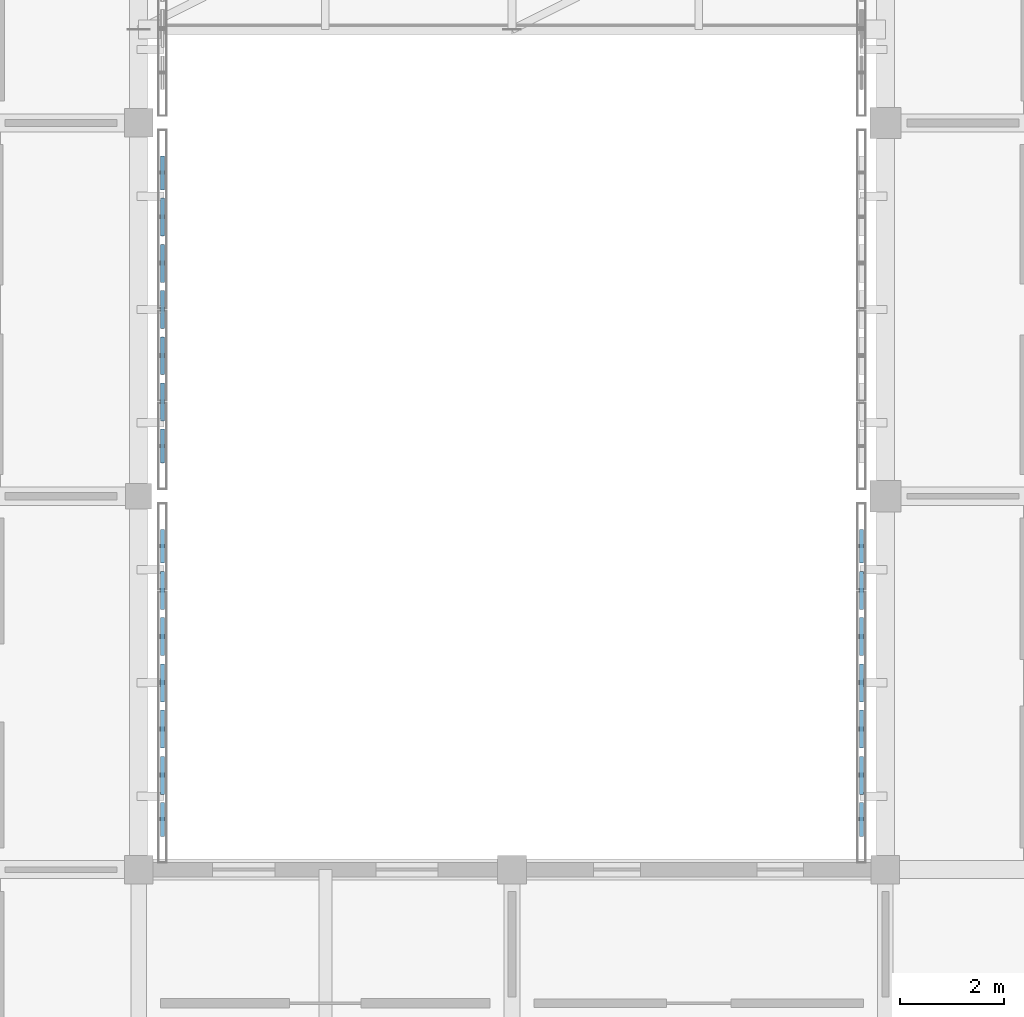
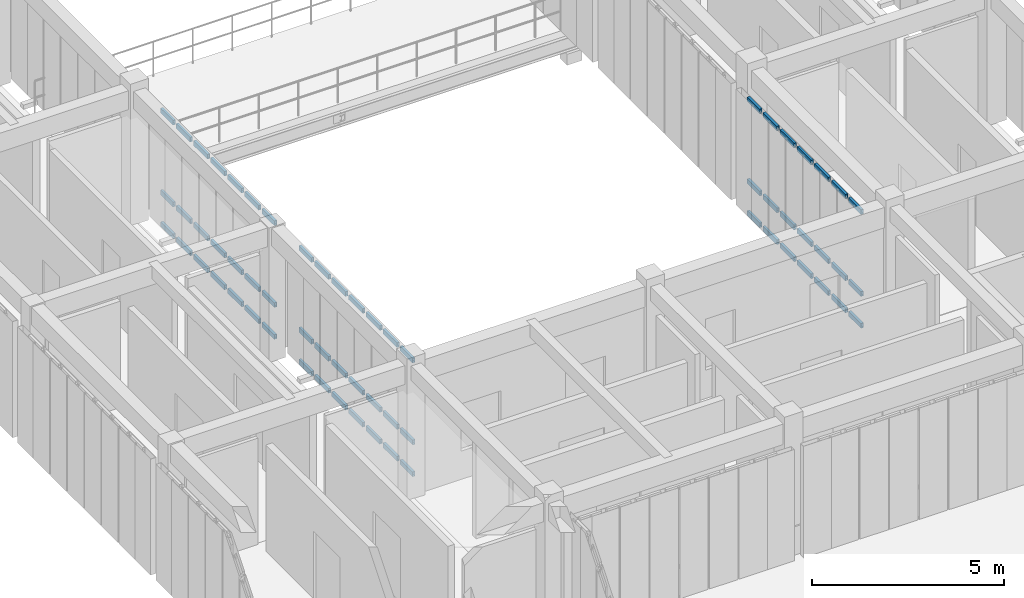
# One storey, part 35 of 91: 63 members, 3 elements without a shape of their own.
"""IFC4 building model written with IfcOpenShell, lengths in metres."""

from ifc_helpers import new_model, si_unit, direction, frame, origin, origin_2d, place, context, subcontext, project, spatial, hollow_rectangle, extrude, material, material_profile, profile_set, type_object, element, aggregate, save


model = new_model("IFC4")

# Units and contexts
model_context = context("Model", 3, precision=1e-05, world=origin(), true_north=direction((0.0, 1.0)))
body_context = subcontext(model_context, "Body", "Model", "MODEL_VIEW")
ifc_project = project(units=[si_unit("LENGTHUNIT", "METRE"), si_unit("AREAUNIT", "SQUARE_METRE"), si_unit("VOLUMEUNIT", "CUBIC_METRE"), si_unit("PLANEANGLEUNIT", "RADIAN"), si_unit("MASSUNIT", "GRAM", prefix="KILO")], contexts=[model_context])

# Site, building, storey
site_placement = place(None, origin())
site = spatial("IfcSite", under=ifc_project, at=site_placement, CompositionType="ELEMENT")
building_placement = place(site_placement, origin())
building = spatial("IfcBuilding", under=site, at=building_placement, Name="Aldebral Square Health Centre", CompositionType="ELEMENT")
storey_placement = place(building_placement, frame((0.0, 0.0, 9.0)))
storey = spatial("IfcBuildingStorey", under=building, at=storey_placement, Name="L02", CompositionType="ELEMENT", Elevation=9.0)

# Curtain wall, members
ifc_material_1 = material(Name="Aluminium and low-E solar glass", Category="aluminium")
curtain_wall_type = type_object("IfcCurtainWallType", Name="CW-FIN-SYS", PredefinedType="USERDEFINED", material=ifc_material_1)
curtain_wall_1_placement = place(storey_placement, origin())
curtain_wall_1 = element("IfcCurtainWall", 1, at=curtain_wall_1_placement, inside=storey, type_object=curtain_wall_type, Name="L02 V5 finned curtain wall L02-V5-19-09-E", ObjectType="SOLAR_CURTAIN_WALL", PredefinedType="USERDEFINED")
ifc_material_2 = material(Name="Anodised aluminium transom", Category="aluminium")
ifc_material_profile = material_profile(ifc_material_2, hollow_rectangle(XDim=0.074951171875, YDim=0.14990234375, WallThickness=0.00390625, at=origin_2d()), Name="CWT 75x150x4")
ifc_profile_set = profile_set([ifc_material_profile], Name="Anodised aluminium transom")
member_type = type_object("IfcMemberType", Name="CWT-STD", PredefinedType="USERDEFINED", material=ifc_profile_set)
member_1_placement = place(storey_placement, frame((144.4599609375, 65.43994140625, 0.03759765625), z_axis=(0.0, 1.0, 0.0), x_axis=(-1.0, 0.0, 0.0)))
member_1 = element("IfcMember", 2, at=member_1_placement, type_object=member_type, Name="CW1 transom 1.1", ObjectType="TRANSOM", PredefinedType="USERDEFINED", context=body_context, shape_type="SweptSolid", body=[
    extrude(hollow_rectangle(XDim=0.074951171875, YDim=0.14990234375, WallThickness=0.00390625, at=origin_2d()), origin(), (0.0, 0.0, 1.0), 0.6513671875),
])
member_2_placement = place(storey_placement, frame((144.4599609375, 65.43994140625, 1.050048828125), z_axis=(0.0, 1.0, 0.0), x_axis=(-1.0, 0.0, 0.0)))
member_2 = element("IfcMember", 3, at=member_2_placement, type_object=member_type, Name="CW1 transom 1.2", ObjectType="TRANSOM", PredefinedType="USERDEFINED", context=body_context, shape_type="SweptSolid", body=[
    extrude(hollow_rectangle(XDim=0.074951171875, YDim=0.14990234375, WallThickness=0.00390625, at=origin_2d()), origin(), (0.0, 0.0, 1.0), 0.6513671875),
])
member_3_placement = place(storey_placement, frame((144.4599609375, 65.43994140625, 3.652587890625), z_axis=(0.0, 1.0, 0.0), x_axis=(-1.0, 0.0, 0.0)))
member_3 = element("IfcMember", 4, at=member_3_placement, type_object=member_type, Name="CW1 transom 1.3", ObjectType="TRANSOM", PredefinedType="USERDEFINED", context=body_context, shape_type="SweptSolid", body=[
    extrude(hollow_rectangle(XDim=0.074951171875, YDim=0.14990234375, WallThickness=0.00390625, at=origin_2d()), origin(), (0.0, 0.0, 1.0), 0.6513671875),
])
member_4_placement = place(storey_placement, frame((144.4599609375, 66.25146484375, 0.03759765625), z_axis=(0.0, 1.0, 0.0), x_axis=(-1.0, 0.0, 0.0)))
member_4 = element("IfcMember", 5, at=member_4_placement, type_object=member_type, Name="CW1 transom 2.1", ObjectType="TRANSOM", PredefinedType="USERDEFINED", context=body_context, shape_type="SweptSolid", body=[
    extrude(hollow_rectangle(XDim=0.074951171875, YDim=0.14990234375, WallThickness=0.00390625, at=origin_2d()), origin(), (0.0, 0.0, 1.0), 0.7314453125),
])
member_5_placement = place(storey_placement, frame((144.4599609375, 66.25146484375, 1.050048828125), z_axis=(0.0, 1.0, 0.0), x_axis=(-1.0, 0.0, 0.0)))
member_5 = element("IfcMember", 6, at=member_5_placement, type_object=member_type, Name="CW1 transom 2.2", ObjectType="TRANSOM", PredefinedType="USERDEFINED", context=body_context, shape_type="SweptSolid", body=[
    extrude(hollow_rectangle(XDim=0.074951171875, YDim=0.14990234375, WallThickness=0.00390625, at=origin_2d()), origin(), (0.0, 0.0, 1.0), 0.7314453125),
])
member_6_placement = place(storey_placement, frame((144.4599609375, 66.25146484375, 3.652587890625), z_axis=(0.0, 1.0, 0.0), x_axis=(-1.0, 0.0, 0.0)))
member_6 = element("IfcMember", 7, at=member_6_placement, type_object=member_type, Name="CW1 transom 2.3", ObjectType="TRANSOM", PredefinedType="USERDEFINED", context=body_context, shape_type="SweptSolid", body=[
    extrude(hollow_rectangle(XDim=0.074951171875, YDim=0.14990234375, WallThickness=0.00390625, at=origin_2d()), origin(), (0.0, 0.0, 1.0), 0.7314453125),
])
member_7_placement = place(storey_placement, frame((144.4599609375, 67.142822265625, 0.03759765625), z_axis=(0.0, 1.0, 0.0), x_axis=(-1.0, 0.0, 0.0)))
member_7 = element("IfcMember", 8, at=member_7_placement, type_object=member_type, Name="CW1 transom 3.1", ObjectType="TRANSOM", PredefinedType="USERDEFINED", context=body_context, shape_type="SweptSolid", body=[
    extrude(hollow_rectangle(XDim=0.074951171875, YDim=0.14990234375, WallThickness=0.00390625, at=origin_2d()), origin(), (0.0, 0.0, 1.0), 0.7314453125),
])
member_8_placement = place(storey_placement, frame((144.4599609375, 67.142822265625, 1.050048828125), z_axis=(0.0, 1.0, 0.0), x_axis=(-1.0, 0.0, 0.0)))
member_8 = element("IfcMember", 9, at=member_8_placement, type_object=member_type, Name="CW1 transom 3.2", ObjectType="TRANSOM", PredefinedType="USERDEFINED", context=body_context, shape_type="SweptSolid", body=[
    extrude(hollow_rectangle(XDim=0.074951171875, YDim=0.14990234375, WallThickness=0.00390625, at=origin_2d()), origin(), (0.0, 0.0, 1.0), 0.7314453125),
])
member_9_placement = place(storey_placement, frame((144.4599609375, 67.142822265625, 3.652587890625), z_axis=(0.0, 1.0, 0.0), x_axis=(-1.0, 0.0, 0.0)))
member_9 = element("IfcMember", 10, at=member_9_placement, type_object=member_type, Name="CW1 transom 3.3", ObjectType="TRANSOM", PredefinedType="USERDEFINED", context=body_context, shape_type="SweptSolid", body=[
    extrude(hollow_rectangle(XDim=0.074951171875, YDim=0.14990234375, WallThickness=0.00390625, at=origin_2d()), origin(), (0.0, 0.0, 1.0), 0.7314453125),
])
member_10_placement = place(storey_placement, frame((144.4599609375, 68.0341796875, 0.03759765625), z_axis=(0.0, 1.0, 0.0), x_axis=(-1.0, 0.0, 0.0)))
member_10 = element("IfcMember", 11, at=member_10_placement, type_object=member_type, Name="CW1 transom 4.1", ObjectType="TRANSOM", PredefinedType="USERDEFINED", context=body_context, shape_type="SweptSolid", body=[
    extrude(hollow_rectangle(XDim=0.074951171875, YDim=0.14990234375, WallThickness=0.00390625, at=origin_2d()), origin(), (0.0, 0.0, 1.0), 0.7314453125),
])
member_11_placement = place(storey_placement, frame((144.4599609375, 68.0341796875, 1.050048828125), z_axis=(0.0, 1.0, 0.0), x_axis=(-1.0, 0.0, 0.0)))
member_11 = element("IfcMember", 12, at=member_11_placement, type_object=member_type, Name="CW1 transom 4.2", ObjectType="TRANSOM", PredefinedType="USERDEFINED", context=body_context, shape_type="SweptSolid", body=[
    extrude(hollow_rectangle(XDim=0.074951171875, YDim=0.14990234375, WallThickness=0.00390625, at=origin_2d()), origin(), (0.0, 0.0, 1.0), 0.7314453125),
])
member_12_placement = place(storey_placement, frame((144.4599609375, 68.0341796875, 3.652587890625), z_axis=(0.0, 1.0, 0.0), x_axis=(-1.0, 0.0, 0.0)))
member_12 = element("IfcMember", 13, at=member_12_placement, type_object=member_type, Name="CW1 transom 4.3", ObjectType="TRANSOM", PredefinedType="USERDEFINED", context=body_context, shape_type="SweptSolid", body=[
    extrude(hollow_rectangle(XDim=0.074951171875, YDim=0.14990234375, WallThickness=0.00390625, at=origin_2d()), origin(), (0.0, 0.0, 1.0), 0.7314453125),
])
member_13_placement = place(storey_placement, frame((144.4599609375, 68.92578125, 0.03759765625), z_axis=(0.0, 1.0, 0.0), x_axis=(-1.0, 0.0, 0.0)))
member_13 = element("IfcMember", 14, at=member_13_placement, type_object=member_type, Name="CW1 transom 5.1", ObjectType="TRANSOM", PredefinedType="USERDEFINED", context=body_context, shape_type="SweptSolid", body=[
    extrude(hollow_rectangle(XDim=0.074951171875, YDim=0.14990234375, WallThickness=0.00390625, at=origin_2d()), origin(), (0.0, 0.0, 1.0), 0.7314453125),
])
member_14_placement = place(storey_placement, frame((144.4599609375, 68.92578125, 1.050048828125), z_axis=(0.0, 1.0, 0.0), x_axis=(-1.0, 0.0, 0.0)))
member_14 = element("IfcMember", 15, at=member_14_placement, type_object=member_type, Name="CW1 transom 5.2", ObjectType="TRANSOM", PredefinedType="USERDEFINED", context=body_context, shape_type="SweptSolid", body=[
    extrude(hollow_rectangle(XDim=0.074951171875, YDim=0.14990234375, WallThickness=0.00390625, at=origin_2d()), origin(), (0.0, 0.0, 1.0), 0.7314453125),
])
member_15_placement = place(storey_placement, frame((144.4599609375, 68.92578125, 3.652587890625), z_axis=(0.0, 1.0, 0.0), x_axis=(-1.0, 0.0, 0.0)))
member_15 = element("IfcMember", 16, at=member_15_placement, type_object=member_type, Name="CW1 transom 5.3", ObjectType="TRANSOM", PredefinedType="USERDEFINED", context=body_context, shape_type="SweptSolid", body=[
    extrude(hollow_rectangle(XDim=0.074951171875, YDim=0.14990234375, WallThickness=0.00390625, at=origin_2d()), origin(), (0.0, 0.0, 1.0), 0.7314453125),
])
member_16_placement = place(storey_placement, frame((144.4599609375, 69.817138671875, 0.03759765625), z_axis=(0.0, 1.0, 0.0), x_axis=(-1.0, 0.0, 0.0)))
member_16 = element("IfcMember", 17, at=member_16_placement, type_object=member_type, Name="CW1 transom 6.1", ObjectType="TRANSOM", PredefinedType="USERDEFINED", context=body_context, shape_type="SweptSolid", body=[
    extrude(hollow_rectangle(XDim=0.074951171875, YDim=0.14990234375, WallThickness=0.00390625, at=origin_2d()), origin(), (0.0, 0.0, 1.0), 0.7314453125),
])
member_17_placement = place(storey_placement, frame((144.4599609375, 69.817138671875, 1.050048828125), z_axis=(0.0, 1.0, 0.0), x_axis=(-1.0, 0.0, 0.0)))
member_17 = element("IfcMember", 18, at=member_17_placement, type_object=member_type, Name="CW1 transom 6.2", ObjectType="TRANSOM", PredefinedType="USERDEFINED", context=body_context, shape_type="SweptSolid", body=[
    extrude(hollow_rectangle(XDim=0.074951171875, YDim=0.14990234375, WallThickness=0.00390625, at=origin_2d()), origin(), (0.0, 0.0, 1.0), 0.7314453125),
])
member_18_placement = place(storey_placement, frame((144.4599609375, 69.817138671875, 3.652587890625), z_axis=(0.0, 1.0, 0.0), x_axis=(-1.0, 0.0, 0.0)))
member_18 = element("IfcMember", 19, at=member_18_placement, type_object=member_type, Name="CW1 transom 6.3", ObjectType="TRANSOM", PredefinedType="USERDEFINED", context=body_context, shape_type="SweptSolid", body=[
    extrude(hollow_rectangle(XDim=0.074951171875, YDim=0.14990234375, WallThickness=0.00390625, at=origin_2d()), origin(), (0.0, 0.0, 1.0), 0.7314453125),
])
member_19_placement = place(storey_placement, frame((144.4599609375, 70.70849609375, 0.03759765625), z_axis=(0.0, 1.0, 0.0), x_axis=(-1.0, 0.0, 0.0)))
member_19 = element("IfcMember", 20, at=member_19_placement, type_object=member_type, Name="CW1 transom 7.1", ObjectType="TRANSOM", PredefinedType="USERDEFINED", context=body_context, shape_type="SweptSolid", body=[
    extrude(hollow_rectangle(XDim=0.074951171875, YDim=0.14990234375, WallThickness=0.00390625, at=origin_2d()), origin(), (0.0, 0.0, 1.0), 0.651611328125),
])
member_20_placement = place(storey_placement, frame((144.4599609375, 70.70849609375, 1.050048828125), z_axis=(0.0, 1.0, 0.0), x_axis=(-1.0, 0.0, 0.0)))
member_20 = element("IfcMember", 21, at=member_20_placement, type_object=member_type, Name="CW1 transom 7.2", ObjectType="TRANSOM", PredefinedType="USERDEFINED", context=body_context, shape_type="SweptSolid", body=[
    extrude(hollow_rectangle(XDim=0.074951171875, YDim=0.14990234375, WallThickness=0.00390625, at=origin_2d()), origin(), (0.0, 0.0, 1.0), 0.651611328125),
])
member_21_placement = place(storey_placement, frame((144.4599609375, 70.70849609375, 3.652587890625), z_axis=(0.0, 1.0, 0.0), x_axis=(-1.0, 0.0, 0.0)))
member_21 = element("IfcMember", 22, at=member_21_placement, type_object=member_type, Name="CW1 transom 7.3", ObjectType="TRANSOM", PredefinedType="USERDEFINED", context=body_context, shape_type="SweptSolid", body=[
    extrude(hollow_rectangle(XDim=0.074951171875, YDim=0.14990234375, WallThickness=0.00390625, at=origin_2d()), origin(), (0.0, 0.0, 1.0), 0.651611328125),
])
aggregate(curtain_wall_1, [member_1, member_2, member_3, member_4, member_5, member_6, member_7, member_8, member_9, member_10, member_11, member_12, member_13, member_14, member_15, member_16, member_17, member_18, member_19, member_20, member_21])

curtain_wall_2_placement = place(storey_placement, origin())
curtain_wall_2 = element("IfcCurtainWall", 23, at=curtain_wall_2_placement, inside=storey, type_object=curtain_wall_type, Name="L02 V5 finned curtain wall L02-V5-19-10-E", ObjectType="SOLAR_CURTAIN_WALL", PredefinedType="USERDEFINED")
member_22_placement = place(storey_placement, frame((144.4599609375, 72.639892578125, 0.03759765625), z_axis=(0.0, 1.0, 0.0), x_axis=(-1.0, 0.0, 0.0)))
member_22 = element("IfcMember", 24, at=member_22_placement, type_object=member_type, Name="CW1 transom 1.1", ObjectType="TRANSOM", PredefinedType="USERDEFINED", context=body_context, shape_type="SweptSolid", body=[
    extrude(hollow_rectangle(XDim=0.074951171875, YDim=0.14990234375, WallThickness=0.00390625, at=origin_2d()), origin(), (0.0, 0.0, 1.0), 0.651611328125),
])
member_23_placement = place(storey_placement, frame((144.4599609375, 72.639892578125, 1.050048828125), z_axis=(0.0, 1.0, 0.0), x_axis=(-1.0, 0.0, 0.0)))
member_23 = element("IfcMember", 25, at=member_23_placement, type_object=member_type, Name="CW1 transom 1.2", ObjectType="TRANSOM", PredefinedType="USERDEFINED", context=body_context, shape_type="SweptSolid", body=[
    extrude(hollow_rectangle(XDim=0.074951171875, YDim=0.14990234375, WallThickness=0.00390625, at=origin_2d()), origin(), (0.0, 0.0, 1.0), 0.651611328125),
])
member_24_placement = place(storey_placement, frame((144.4599609375, 72.639892578125, 3.652587890625), z_axis=(0.0, 1.0, 0.0), x_axis=(-1.0, 0.0, 0.0)))
member_24 = element("IfcMember", 26, at=member_24_placement, type_object=member_type, Name="CW1 transom 1.3", ObjectType="TRANSOM", PredefinedType="USERDEFINED", context=body_context, shape_type="SweptSolid", body=[
    extrude(hollow_rectangle(XDim=0.074951171875, YDim=0.14990234375, WallThickness=0.00390625, at=origin_2d()), origin(), (0.0, 0.0, 1.0), 0.651611328125),
])
member_25_placement = place(storey_placement, frame((144.4599609375, 73.451416015625, 0.03759765625), z_axis=(0.0, 1.0, 0.0), x_axis=(-1.0, 0.0, 0.0)))
member_25 = element("IfcMember", 27, at=member_25_placement, type_object=member_type, Name="CW1 transom 2.1", ObjectType="TRANSOM", PredefinedType="USERDEFINED", context=body_context, shape_type="SweptSolid", body=[
    extrude(hollow_rectangle(XDim=0.074951171875, YDim=0.14990234375, WallThickness=0.00390625, at=origin_2d()), origin(), (0.0, 0.0, 1.0), 0.7314453125),
])
member_26_placement = place(storey_placement, frame((144.4599609375, 73.451416015625, 1.050048828125), z_axis=(0.0, 1.0, 0.0), x_axis=(-1.0, 0.0, 0.0)))
member_26 = element("IfcMember", 28, at=member_26_placement, type_object=member_type, Name="CW1 transom 2.2", ObjectType="TRANSOM", PredefinedType="USERDEFINED", context=body_context, shape_type="SweptSolid", body=[
    extrude(hollow_rectangle(XDim=0.074951171875, YDim=0.14990234375, WallThickness=0.00390625, at=origin_2d()), origin(), (0.0, 0.0, 1.0), 0.7314453125),
])
member_27_placement = place(storey_placement, frame((144.4599609375, 73.451416015625, 3.652587890625), z_axis=(0.0, 1.0, 0.0), x_axis=(-1.0, 0.0, 0.0)))
member_27 = element("IfcMember", 29, at=member_27_placement, type_object=member_type, Name="CW1 transom 2.3", ObjectType="TRANSOM", PredefinedType="USERDEFINED", context=body_context, shape_type="SweptSolid", body=[
    extrude(hollow_rectangle(XDim=0.074951171875, YDim=0.14990234375, WallThickness=0.00390625, at=origin_2d()), origin(), (0.0, 0.0, 1.0), 0.7314453125),
])
member_28_placement = place(storey_placement, frame((144.4599609375, 74.3427734375, 0.03759765625), z_axis=(0.0, 1.0, 0.0), x_axis=(-1.0, 0.0, 0.0)))
member_28 = element("IfcMember", 30, at=member_28_placement, type_object=member_type, Name="CW1 transom 3.1", ObjectType="TRANSOM", PredefinedType="USERDEFINED", context=body_context, shape_type="SweptSolid", body=[
    extrude(hollow_rectangle(XDim=0.074951171875, YDim=0.14990234375, WallThickness=0.00390625, at=origin_2d()), origin(), (0.0, 0.0, 1.0), 0.7314453125),
])
member_29_placement = place(storey_placement, frame((144.4599609375, 74.3427734375, 1.050048828125), z_axis=(0.0, 1.0, 0.0), x_axis=(-1.0, 0.0, 0.0)))
member_29 = element("IfcMember", 31, at=member_29_placement, type_object=member_type, Name="CW1 transom 3.2", ObjectType="TRANSOM", PredefinedType="USERDEFINED", context=body_context, shape_type="SweptSolid", body=[
    extrude(hollow_rectangle(XDim=0.074951171875, YDim=0.14990234375, WallThickness=0.00390625, at=origin_2d()), origin(), (0.0, 0.0, 1.0), 0.7314453125),
])
member_30_placement = place(storey_placement, frame((144.4599609375, 74.3427734375, 3.652587890625), z_axis=(0.0, 1.0, 0.0), x_axis=(-1.0, 0.0, 0.0)))
member_30 = element("IfcMember", 32, at=member_30_placement, type_object=member_type, Name="CW1 transom 3.3", ObjectType="TRANSOM", PredefinedType="USERDEFINED", context=body_context, shape_type="SweptSolid", body=[
    extrude(hollow_rectangle(XDim=0.074951171875, YDim=0.14990234375, WallThickness=0.00390625, at=origin_2d()), origin(), (0.0, 0.0, 1.0), 0.7314453125),
])
member_31_placement = place(storey_placement, frame((144.4599609375, 75.234375, 0.03759765625), z_axis=(0.0, 1.0, 0.0), x_axis=(-1.0, 0.0, 0.0)))
member_31 = element("IfcMember", 33, at=member_31_placement, type_object=member_type, Name="CW1 transom 4.1", ObjectType="TRANSOM", PredefinedType="USERDEFINED", context=body_context, shape_type="SweptSolid", body=[
    extrude(hollow_rectangle(XDim=0.074951171875, YDim=0.14990234375, WallThickness=0.00390625, at=origin_2d()), origin(), (0.0, 0.0, 1.0), 0.7314453125),
])
member_32_placement = place(storey_placement, frame((144.4599609375, 75.234375, 1.050048828125), z_axis=(0.0, 1.0, 0.0), x_axis=(-1.0, 0.0, 0.0)))
member_32 = element("IfcMember", 34, at=member_32_placement, type_object=member_type, Name="CW1 transom 4.2", ObjectType="TRANSOM", PredefinedType="USERDEFINED", context=body_context, shape_type="SweptSolid", body=[
    extrude(hollow_rectangle(XDim=0.074951171875, YDim=0.14990234375, WallThickness=0.00390625, at=origin_2d()), origin(), (0.0, 0.0, 1.0), 0.7314453125),
])
member_33_placement = place(storey_placement, frame((144.4599609375, 75.234375, 3.652587890625), z_axis=(0.0, 1.0, 0.0), x_axis=(-1.0, 0.0, 0.0)))
member_33 = element("IfcMember", 35, at=member_33_placement, type_object=member_type, Name="CW1 transom 4.3", ObjectType="TRANSOM", PredefinedType="USERDEFINED", context=body_context, shape_type="SweptSolid", body=[
    extrude(hollow_rectangle(XDim=0.074951171875, YDim=0.14990234375, WallThickness=0.00390625, at=origin_2d()), origin(), (0.0, 0.0, 1.0), 0.7314453125),
])
member_34_placement = place(storey_placement, frame((144.4599609375, 76.125732421875, 0.03759765625), z_axis=(0.0, 1.0, 0.0), x_axis=(-1.0, 0.0, 0.0)))
member_34 = element("IfcMember", 36, at=member_34_placement, type_object=member_type, Name="CW1 transom 5.1", ObjectType="TRANSOM", PredefinedType="USERDEFINED", context=body_context, shape_type="SweptSolid", body=[
    extrude(hollow_rectangle(XDim=0.074951171875, YDim=0.14990234375, WallThickness=0.00390625, at=origin_2d()), origin(), (0.0, 0.0, 1.0), 0.7314453125),
])
member_35_placement = place(storey_placement, frame((144.4599609375, 76.125732421875, 1.050048828125), z_axis=(0.0, 1.0, 0.0), x_axis=(-1.0, 0.0, 0.0)))
member_35 = element("IfcMember", 37, at=member_35_placement, type_object=member_type, Name="CW1 transom 5.2", ObjectType="TRANSOM", PredefinedType="USERDEFINED", context=body_context, shape_type="SweptSolid", body=[
    extrude(hollow_rectangle(XDim=0.074951171875, YDim=0.14990234375, WallThickness=0.00390625, at=origin_2d()), origin(), (0.0, 0.0, 1.0), 0.7314453125),
])
member_36_placement = place(storey_placement, frame((144.4599609375, 76.125732421875, 3.652587890625), z_axis=(0.0, 1.0, 0.0), x_axis=(-1.0, 0.0, 0.0)))
member_36 = element("IfcMember", 38, at=member_36_placement, type_object=member_type, Name="CW1 transom 5.3", ObjectType="TRANSOM", PredefinedType="USERDEFINED", context=body_context, shape_type="SweptSolid", body=[
    extrude(hollow_rectangle(XDim=0.074951171875, YDim=0.14990234375, WallThickness=0.00390625, at=origin_2d()), origin(), (0.0, 0.0, 1.0), 0.7314453125),
])
member_37_placement = place(storey_placement, frame((144.4599609375, 77.01708984375, 0.03759765625), z_axis=(0.0, 1.0, 0.0), x_axis=(-1.0, 0.0, 0.0)))
member_37 = element("IfcMember", 39, at=member_37_placement, type_object=member_type, Name="CW1 transom 6.1", ObjectType="TRANSOM", PredefinedType="USERDEFINED", context=body_context, shape_type="SweptSolid", body=[
    extrude(hollow_rectangle(XDim=0.074951171875, YDim=0.14990234375, WallThickness=0.00390625, at=origin_2d()), origin(), (0.0, 0.0, 1.0), 0.7314453125),
])
member_38_placement = place(storey_placement, frame((144.4599609375, 77.01708984375, 1.050048828125), z_axis=(0.0, 1.0, 0.0), x_axis=(-1.0, 0.0, 0.0)))
member_38 = element("IfcMember", 40, at=member_38_placement, type_object=member_type, Name="CW1 transom 6.2", ObjectType="TRANSOM", PredefinedType="USERDEFINED", context=body_context, shape_type="SweptSolid", body=[
    extrude(hollow_rectangle(XDim=0.074951171875, YDim=0.14990234375, WallThickness=0.00390625, at=origin_2d()), origin(), (0.0, 0.0, 1.0), 0.7314453125),
])
member_39_placement = place(storey_placement, frame((144.4599609375, 77.01708984375, 3.652587890625), z_axis=(0.0, 1.0, 0.0), x_axis=(-1.0, 0.0, 0.0)))
member_39 = element("IfcMember", 41, at=member_39_placement, type_object=member_type, Name="CW1 transom 6.3", ObjectType="TRANSOM", PredefinedType="USERDEFINED", context=body_context, shape_type="SweptSolid", body=[
    extrude(hollow_rectangle(XDim=0.074951171875, YDim=0.14990234375, WallThickness=0.00390625, at=origin_2d()), origin(), (0.0, 0.0, 1.0), 0.7314453125),
])
member_40_placement = place(storey_placement, frame((144.4599609375, 77.90869140625, 0.03759765625), z_axis=(0.0, 1.0, 0.0), x_axis=(-1.0, 0.0, 0.0)))
member_40 = element("IfcMember", 42, at=member_40_placement, type_object=member_type, Name="CW1 transom 7.1", ObjectType="TRANSOM", PredefinedType="USERDEFINED", context=body_context, shape_type="SweptSolid", body=[
    extrude(hollow_rectangle(XDim=0.074951171875, YDim=0.14990234375, WallThickness=0.00390625, at=origin_2d()), origin(), (0.0, 0.0, 1.0), 0.6513671875),
])
member_41_placement = place(storey_placement, frame((144.4599609375, 77.90869140625, 1.050048828125), z_axis=(0.0, 1.0, 0.0), x_axis=(-1.0, 0.0, 0.0)))
member_41 = element("IfcMember", 43, at=member_41_placement, type_object=member_type, Name="CW1 transom 7.2", ObjectType="TRANSOM", PredefinedType="USERDEFINED", context=body_context, shape_type="SweptSolid", body=[
    extrude(hollow_rectangle(XDim=0.074951171875, YDim=0.14990234375, WallThickness=0.00390625, at=origin_2d()), origin(), (0.0, 0.0, 1.0), 0.6513671875),
])
member_42_placement = place(storey_placement, frame((144.4599609375, 77.90869140625, 3.652587890625), z_axis=(0.0, 1.0, 0.0), x_axis=(-1.0, 0.0, 0.0)))
member_42 = element("IfcMember", 44, at=member_42_placement, type_object=member_type, Name="CW1 transom 7.3", ObjectType="TRANSOM", PredefinedType="USERDEFINED", context=body_context, shape_type="SweptSolid", body=[
    extrude(hollow_rectangle(XDim=0.074951171875, YDim=0.14990234375, WallThickness=0.00390625, at=origin_2d()), origin(), (0.0, 0.0, 1.0), 0.6513671875),
])
aggregate(curtain_wall_2, [member_22, member_23, member_24, member_25, member_26, member_27, member_28, member_29, member_30, member_31, member_32, member_33, member_34, member_35, member_36, member_37, member_38, member_39, member_40, member_41, member_42])

curtain_wall_3_placement = place(storey_placement, origin())
curtain_wall_3 = element("IfcCurtainWall", 45, at=curtain_wall_3_placement, inside=storey, type_object=curtain_wall_type, Name="L02 V5 finned curtain wall L02-V5-22-09-W", ObjectType="SOLAR_CURTAIN_WALL", PredefinedType="USERDEFINED")
member_43_placement = place(storey_placement, frame((157.93994140625, 71.360107421875, 0.03759765625), z_axis=(0.0, -1.0, 0.0), x_axis=(1.0, 0.0, 0.0)))
member_43 = element("IfcMember", 46, at=member_43_placement, type_object=member_type, Name="CW1 transom 1.1", ObjectType="TRANSOM", PredefinedType="USERDEFINED", context=body_context, shape_type="SweptSolid", body=[
    extrude(hollow_rectangle(XDim=0.074951171875, YDim=0.14990234375, WallThickness=0.00390625, at=origin_2d()), origin(), (0.0, 0.0, 1.0), 0.651611328125),
])
member_44_placement = place(storey_placement, frame((157.93994140625, 71.360107421875, 1.050048828125), z_axis=(0.0, -1.0, 0.0), x_axis=(1.0, 0.0, 0.0)))
member_44 = element("IfcMember", 47, at=member_44_placement, type_object=member_type, Name="CW1 transom 1.2", ObjectType="TRANSOM", PredefinedType="USERDEFINED", context=body_context, shape_type="SweptSolid", body=[
    extrude(hollow_rectangle(XDim=0.074951171875, YDim=0.14990234375, WallThickness=0.00390625, at=origin_2d()), origin(), (0.0, 0.0, 1.0), 0.651611328125),
])
member_45_placement = place(storey_placement, frame((157.93994140625, 71.360107421875, 3.652587890625), z_axis=(0.0, -1.0, 0.0), x_axis=(1.0, 0.0, 0.0)))
member_45 = element("IfcMember", 48, at=member_45_placement, type_object=member_type, Name="CW1 transom 1.3", ObjectType="TRANSOM", PredefinedType="USERDEFINED", context=body_context, shape_type="SweptSolid", body=[
    extrude(hollow_rectangle(XDim=0.074951171875, YDim=0.14990234375, WallThickness=0.00390625, at=origin_2d()), origin(), (0.0, 0.0, 1.0), 0.651611328125),
])
member_46_placement = place(storey_placement, frame((157.93994140625, 70.548583984375, 0.03759765625), z_axis=(0.0, -1.0, 0.0), x_axis=(1.0, 0.0, 0.0)))
member_46 = element("IfcMember", 49, at=member_46_placement, type_object=member_type, Name="CW1 transom 2.1", ObjectType="TRANSOM", PredefinedType="USERDEFINED", context=body_context, shape_type="SweptSolid", body=[
    extrude(hollow_rectangle(XDim=0.074951171875, YDim=0.14990234375, WallThickness=0.00390625, at=origin_2d()), origin(), (0.0, 0.0, 1.0), 0.7314453125),
])
member_47_placement = place(storey_placement, frame((157.93994140625, 70.548583984375, 1.050048828125), z_axis=(0.0, -1.0, 0.0), x_axis=(1.0, 0.0, 0.0)))
member_47 = element("IfcMember", 50, at=member_47_placement, type_object=member_type, Name="CW1 transom 2.2", ObjectType="TRANSOM", PredefinedType="USERDEFINED", context=body_context, shape_type="SweptSolid", body=[
    extrude(hollow_rectangle(XDim=0.074951171875, YDim=0.14990234375, WallThickness=0.00390625, at=origin_2d()), origin(), (0.0, 0.0, 1.0), 0.7314453125),
])
member_48_placement = place(storey_placement, frame((157.93994140625, 70.548583984375, 3.652587890625), z_axis=(0.0, -1.0, 0.0), x_axis=(1.0, 0.0, 0.0)))
member_48 = element("IfcMember", 51, at=member_48_placement, type_object=member_type, Name="CW1 transom 2.3", ObjectType="TRANSOM", PredefinedType="USERDEFINED", context=body_context, shape_type="SweptSolid", body=[
    extrude(hollow_rectangle(XDim=0.074951171875, YDim=0.14990234375, WallThickness=0.00390625, at=origin_2d()), origin(), (0.0, 0.0, 1.0), 0.7314453125),
])
member_49_placement = place(storey_placement, frame((157.93994140625, 69.6572265625, 0.03759765625), z_axis=(0.0, -1.0, 0.0), x_axis=(1.0, 0.0, 0.0)))
member_49 = element("IfcMember", 52, at=member_49_placement, type_object=member_type, Name="CW1 transom 3.1", ObjectType="TRANSOM", PredefinedType="USERDEFINED", context=body_context, shape_type="SweptSolid", body=[
    extrude(hollow_rectangle(XDim=0.074951171875, YDim=0.14990234375, WallThickness=0.00390625, at=origin_2d()), origin(), (0.0, 0.0, 1.0), 0.7314453125),
])
member_50_placement = place(storey_placement, frame((157.93994140625, 69.6572265625, 1.050048828125), z_axis=(0.0, -1.0, 0.0), x_axis=(1.0, 0.0, 0.0)))
member_50 = element("IfcMember", 53, at=member_50_placement, type_object=member_type, Name="CW1 transom 3.2", ObjectType="TRANSOM", PredefinedType="USERDEFINED", context=body_context, shape_type="SweptSolid", body=[
    extrude(hollow_rectangle(XDim=0.074951171875, YDim=0.14990234375, WallThickness=0.00390625, at=origin_2d()), origin(), (0.0, 0.0, 1.0), 0.7314453125),
])
member_51_placement = place(storey_placement, frame((157.93994140625, 69.6572265625, 3.652587890625), z_axis=(0.0, -1.0, 0.0), x_axis=(1.0, 0.0, 0.0)))
member_51 = element("IfcMember", 54, at=member_51_placement, type_object=member_type, Name="CW1 transom 3.3", ObjectType="TRANSOM", PredefinedType="USERDEFINED", context=body_context, shape_type="SweptSolid", body=[
    extrude(hollow_rectangle(XDim=0.074951171875, YDim=0.14990234375, WallThickness=0.00390625, at=origin_2d()), origin(), (0.0, 0.0, 1.0), 0.7314453125),
])
member_52_placement = place(storey_placement, frame((157.93994140625, 68.765625, 0.03759765625), z_axis=(0.0, -1.0, 0.0), x_axis=(1.0, 0.0, 0.0)))
member_52 = element("IfcMember", 55, at=member_52_placement, type_object=member_type, Name="CW1 transom 4.1", ObjectType="TRANSOM", PredefinedType="USERDEFINED", context=body_context, shape_type="SweptSolid", body=[
    extrude(hollow_rectangle(XDim=0.074951171875, YDim=0.14990234375, WallThickness=0.00390625, at=origin_2d()), origin(), (0.0, 0.0, 1.0), 0.7314453125),
])
member_53_placement = place(storey_placement, frame((157.93994140625, 68.765625, 1.050048828125), z_axis=(0.0, -1.0, 0.0), x_axis=(1.0, 0.0, 0.0)))
member_53 = element("IfcMember", 56, at=member_53_placement, type_object=member_type, Name="CW1 transom 4.2", ObjectType="TRANSOM", PredefinedType="USERDEFINED", context=body_context, shape_type="SweptSolid", body=[
    extrude(hollow_rectangle(XDim=0.074951171875, YDim=0.14990234375, WallThickness=0.00390625, at=origin_2d()), origin(), (0.0, 0.0, 1.0), 0.7314453125),
])
member_54_placement = place(storey_placement, frame((157.93994140625, 68.765625, 3.652587890625), z_axis=(0.0, -1.0, 0.0), x_axis=(1.0, 0.0, 0.0)))
member_54 = element("IfcMember", 57, at=member_54_placement, type_object=member_type, Name="CW1 transom 4.3", ObjectType="TRANSOM", PredefinedType="USERDEFINED", context=body_context, shape_type="SweptSolid", body=[
    extrude(hollow_rectangle(XDim=0.074951171875, YDim=0.14990234375, WallThickness=0.00390625, at=origin_2d()), origin(), (0.0, 0.0, 1.0), 0.7314453125),
])
member_55_placement = place(storey_placement, frame((157.93994140625, 67.874267578125, 0.03759765625), z_axis=(0.0, -1.0, 0.0), x_axis=(1.0, 0.0, 0.0)))
member_55 = element("IfcMember", 58, at=member_55_placement, type_object=member_type, Name="CW1 transom 5.1", ObjectType="TRANSOM", PredefinedType="USERDEFINED", context=body_context, shape_type="SweptSolid", body=[
    extrude(hollow_rectangle(XDim=0.074951171875, YDim=0.14990234375, WallThickness=0.00390625, at=origin_2d()), origin(), (0.0, 0.0, 1.0), 0.7314453125),
])
member_56_placement = place(storey_placement, frame((157.93994140625, 67.874267578125, 1.050048828125), z_axis=(0.0, -1.0, 0.0), x_axis=(1.0, 0.0, 0.0)))
member_56 = element("IfcMember", 59, at=member_56_placement, type_object=member_type, Name="CW1 transom 5.2", ObjectType="TRANSOM", PredefinedType="USERDEFINED", context=body_context, shape_type="SweptSolid", body=[
    extrude(hollow_rectangle(XDim=0.074951171875, YDim=0.14990234375, WallThickness=0.00390625, at=origin_2d()), origin(), (0.0, 0.0, 1.0), 0.7314453125),
])
member_57_placement = place(storey_placement, frame((157.93994140625, 67.874267578125, 3.652587890625), z_axis=(0.0, -1.0, 0.0), x_axis=(1.0, 0.0, 0.0)))
member_57 = element("IfcMember", 60, at=member_57_placement, type_object=member_type, Name="CW1 transom 5.3", ObjectType="TRANSOM", PredefinedType="USERDEFINED", context=body_context, shape_type="SweptSolid", body=[
    extrude(hollow_rectangle(XDim=0.074951171875, YDim=0.14990234375, WallThickness=0.00390625, at=origin_2d()), origin(), (0.0, 0.0, 1.0), 0.7314453125),
])
member_58_placement = place(storey_placement, frame((157.93994140625, 66.98291015625, 0.03759765625), z_axis=(0.0, -1.0, 0.0), x_axis=(1.0, 0.0, 0.0)))
member_58 = element("IfcMember", 61, at=member_58_placement, type_object=member_type, Name="CW1 transom 6.1", ObjectType="TRANSOM", PredefinedType="USERDEFINED", context=body_context, shape_type="SweptSolid", body=[
    extrude(hollow_rectangle(XDim=0.074951171875, YDim=0.14990234375, WallThickness=0.00390625, at=origin_2d()), origin(), (0.0, 0.0, 1.0), 0.7314453125),
])
member_59_placement = place(storey_placement, frame((157.93994140625, 66.98291015625, 1.050048828125), z_axis=(0.0, -1.0, 0.0), x_axis=(1.0, 0.0, 0.0)))
member_59 = element("IfcMember", 62, at=member_59_placement, type_object=member_type, Name="CW1 transom 6.2", ObjectType="TRANSOM", PredefinedType="USERDEFINED", context=body_context, shape_type="SweptSolid", body=[
    extrude(hollow_rectangle(XDim=0.074951171875, YDim=0.14990234375, WallThickness=0.00390625, at=origin_2d()), origin(), (0.0, 0.0, 1.0), 0.7314453125),
])
member_60_placement = place(storey_placement, frame((157.93994140625, 66.98291015625, 3.652587890625), z_axis=(0.0, -1.0, 0.0), x_axis=(1.0, 0.0, 0.0)))
member_60 = element("IfcMember", 63, at=member_60_placement, type_object=member_type, Name="CW1 transom 6.3", ObjectType="TRANSOM", PredefinedType="USERDEFINED", context=body_context, shape_type="SweptSolid", body=[
    extrude(hollow_rectangle(XDim=0.074951171875, YDim=0.14990234375, WallThickness=0.00390625, at=origin_2d()), origin(), (0.0, 0.0, 1.0), 0.7314453125),
])
member_61_placement = place(storey_placement, frame((157.93994140625, 66.09130859375, 0.03759765625), z_axis=(0.0, -1.0, 0.0), x_axis=(1.0, 0.0, 0.0)))
member_61 = element("IfcMember", 64, at=member_61_placement, type_object=member_type, Name="CW1 transom 7.1", ObjectType="TRANSOM", PredefinedType="USERDEFINED", context=body_context, shape_type="SweptSolid", body=[
    extrude(hollow_rectangle(XDim=0.074951171875, YDim=0.14990234375, WallThickness=0.00390625, at=origin_2d()), origin(), (0.0, 0.0, 1.0), 0.6513671875),
])
member_62_placement = place(storey_placement, frame((157.93994140625, 66.09130859375, 1.050048828125), z_axis=(0.0, -1.0, 0.0), x_axis=(1.0, 0.0, 0.0)))
member_62 = element("IfcMember", 65, at=member_62_placement, type_object=member_type, Name="CW1 transom 7.2", ObjectType="TRANSOM", PredefinedType="USERDEFINED", context=body_context, shape_type="SweptSolid", body=[
    extrude(hollow_rectangle(XDim=0.074951171875, YDim=0.14990234375, WallThickness=0.00390625, at=origin_2d()), origin(), (0.0, 0.0, 1.0), 0.6513671875),
])
member_63_placement = place(storey_placement, frame((157.93994140625, 66.09130859375, 3.652587890625), z_axis=(0.0, -1.0, 0.0), x_axis=(1.0, 0.0, 0.0)))
member_63 = element("IfcMember", 66, at=member_63_placement, type_object=member_type, Name="CW1 transom 7.3", ObjectType="TRANSOM", PredefinedType="USERDEFINED", context=body_context, shape_type="SweptSolid", body=[
    extrude(hollow_rectangle(XDim=0.074951171875, YDim=0.14990234375, WallThickness=0.00390625, at=origin_2d()), origin(), (0.0, 0.0, 1.0), 0.6513671875),
])
aggregate(curtain_wall_3, [member_43, member_44, member_45, member_46, member_47, member_48, member_49, member_50, member_51, member_52, member_53, member_54, member_55, member_56, member_57, member_58, member_59, member_60, member_61, member_62, member_63])

save(model, "model.ifc")
